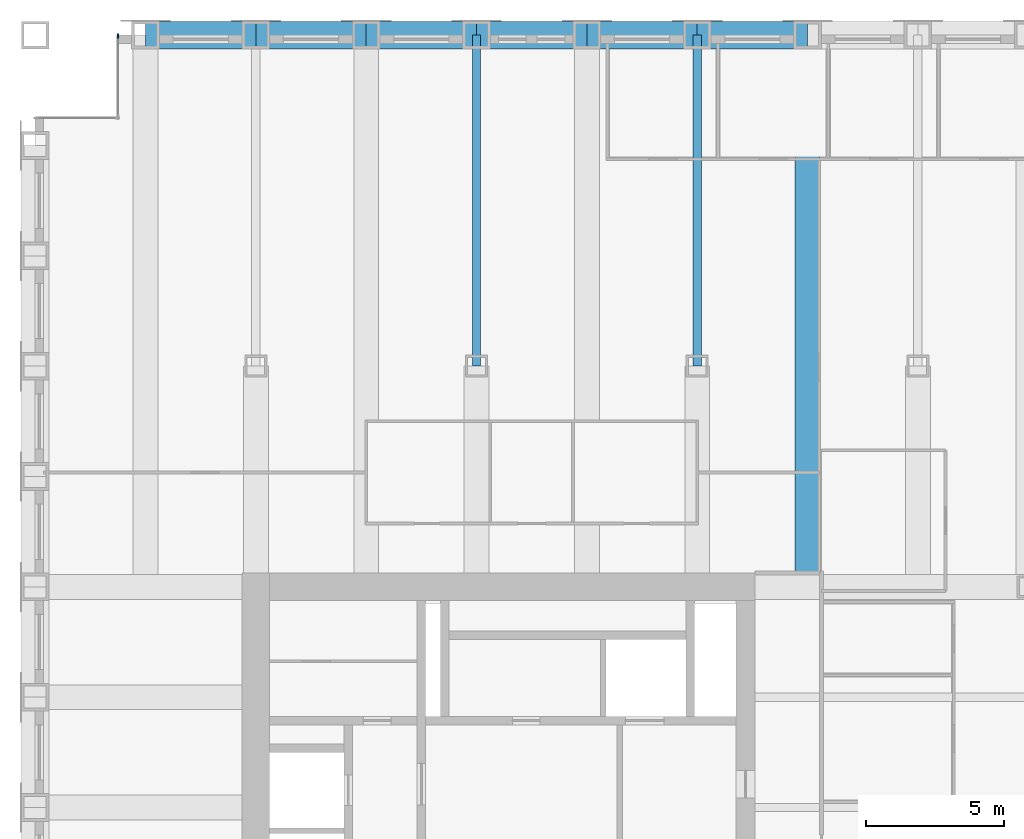
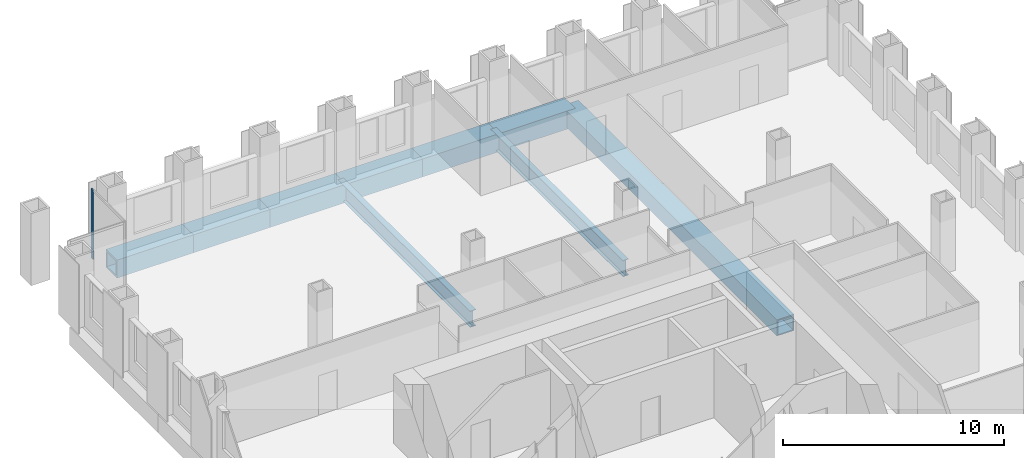
# One storey, part 6 of 13: 9 beams, 1 member, 1 element without a shape of its own.
"""IFC4 building model written with IfcOpenShell, lengths in metres."""

import ifcopenshell
import ifcopenshell.guid

model = None  # the IFC model being written
_history = None  # IfcOwnerHistory: only IFC2X3 demands one
_inside = {}  # id of a spatial element -> (the spatial element, [elements in it])
_under = {}  # id of a project, library or spatial element -> (it, [spatial elements below it])
_declared = {}  # id of a project -> (the project, [libraries it declares])
_typed = {}  # id of a type object -> (the type object, [elements of that type])
_made_of = {}  # id of a material, layer set ... -> (it, [elements and type objects made of it])


def new_model(schema):
    """Start an empty IFC model of exactly this schema.

    Asked for "IFC4X3", IfcOpenShell would pick the latest addendum, in which some entities
    have other attributes; the version numbers below select the first issue.
    IFC2X3 requires an IfcOwnerHistory on every rooted entity: one is made here for all.
    """
    global model, _history
    if schema == "IFC4X3":
        model = ifcopenshell.file(schema_version=(4, 3, 0, 0))
    else:
        model = ifcopenshell.file(schema=schema)
    _inside.clear()
    _under.clear()
    _declared.clear()
    _typed.clear()
    _made_of.clear()
    _history = None
    if model.schema == "IFC2X3":
        org = make("IfcOrganization", Name="unknown")
        user = make(
            "IfcPersonAndOrganization",
            ThePerson=make("IfcPerson", FamilyName="unknown"),
            TheOrganization=org,
        )
        app = make(
            "IfcApplication",
            ApplicationDeveloper=org,
            Version="unknown",
            ApplicationFullName="unknown",
            ApplicationIdentifier="unknown",
        )
        _history = make(
            "IfcOwnerHistory",
            OwningUser=user,
            OwningApplication=app,
            ChangeAction="ADDED",
            CreationDate=0,
        )
    return model


def make(cls, **values):
    """One entity of the class cls with the attributes given. An attribute that is None is left unset."""
    return model.create_entity(
        cls, **{name: value for name, value in values.items() if value is not None}
    )


def rooted(cls, **values):
    """An entity with a GlobalId (a new one), such as an element, a storey or a relation."""
    return make(cls, GlobalId=ifcopenshell.guid.new(), OwnerHistory=_history, **values)


def si_unit(unit_type, name, prefix=None):
    """IfcSIUnit, for example si_unit("LENGTHUNIT", "METRE", prefix="MILLI")."""
    return make("IfcSIUnit", UnitType=unit_type, Prefix=prefix, Name=name)


def assignment(units):
    """IfcUnitAssignment: the units of a project."""
    return None if units is None else make("IfcUnitAssignment", Units=units)


def point(xyz):
    """IfcCartesianPoint."""
    return None if xyz is None else make("IfcCartesianPoint", Coordinates=xyz)


def direction(xyz):
    """IfcDirection."""
    return None if xyz is None else make("IfcDirection", DirectionRatios=xyz)


def frame(location, z_axis=None, x_axis=None):
    """IfcAxis2Placement3D, a coordinate frame: its origin and axes. An axis left out is left unset."""
    return make(
        "IfcAxis2Placement3D",
        Location=point(location),
        Axis=direction(z_axis),
        RefDirection=direction(x_axis),
    )


def frame_2d(location, x_axis=None):
    """IfcAxis2Placement2D, a coordinate frame in the plane: its origin and x axis."""
    return make(
        "IfcAxis2Placement2D", Location=point(location), RefDirection=direction(x_axis)
    )


def origin():
    """The frame at (0, 0, 0) with its axes left unset."""
    return frame((0.0, 0.0, 0.0))


def origin_2d():
    """The frame at (0, 0) in the plane with its x axis left unset."""
    return frame_2d((0.0, 0.0))


def place(relative_to, where):
    """IfcLocalPlacement: puts the frame where relative to a parent placement (None: the world)."""
    return make(
        "IfcLocalPlacement", PlacementRelTo=relative_to, RelativePlacement=where
    )


def context(
    kind, dimensions, precision=None, world=None, true_north=None, identifier=None
):
    """IfcGeometricRepresentationContext, for example the 3D "Model" context."""
    return make(
        "IfcGeometricRepresentationContext",
        ContextIdentifier=identifier,
        ContextType=kind,
        CoordinateSpaceDimension=dimensions,
        Precision=precision,
        WorldCoordinateSystem=world,
        TrueNorth=true_north,
    )


def subcontext(parent, identifier, kind, view, scale=None):
    """IfcGeometricRepresentationSubContext, for example "Body" below "Model"."""
    return make(
        "IfcGeometricRepresentationSubContext",
        ContextIdentifier=identifier,
        ContextType=kind,
        ParentContext=parent,
        TargetScale=scale,
        TargetView=view,
    )


def project(units=None, contexts=None):
    """IfcProject with its units and contexts."""
    return rooted(
        "IfcProject",
        Name="project",
        RepresentationContexts=contexts,
        UnitsInContext=assignment(units),
    )


def spatial(cls, under=None, at=None, **own):
    """A site, building, storey or space (cls), placed at a placement, below another one or the project."""
    s = rooted(cls, ObjectPlacement=at, **own)
    if under is not None:
        _under.setdefault(under.id(), (under, []))[1].append(s)
    return s


def profile(cls, at=None, kind="AREA", **sizes):
    """A parametric profile (cls). Its sizes go by their IFC names, for example OverallWidth=200.0."""
    return make(cls, ProfileType=kind, Position=at, **sizes)


def rectangle(**sizes):
    """IfcRectangleProfileDef."""
    return profile("IfcRectangleProfileDef", **sizes)


def hollow_rectangle(**sizes):
    """IfcRectangleHollowProfileDef."""
    return profile("IfcRectangleHollowProfileDef", **sizes)


def i_section(**sizes):
    """IfcIShapeProfileDef."""
    return profile("IfcIShapeProfileDef", **sizes)


def extrude(swept, where, along, depth):
    """IfcExtrudedAreaSolid: the profile swept, set in the frame where, extruded along a direction by depth."""
    return make(
        "IfcExtrudedAreaSolid",
        SweptArea=swept,
        Position=where,
        ExtrudedDirection=direction(along),
        Depth=depth,
    )


def shape(context_of_items, identifier, shape_type, items):
    """IfcShapeRepresentation: the items that make up one representation, for example the "Body"."""
    return make(
        "IfcShapeRepresentation",
        ContextOfItems=context_of_items,
        RepresentationIdentifier=identifier,
        RepresentationType=shape_type,
        Items=items,
    )


def material(Name=None, Category=None):
    """IfcMaterial."""
    return make("IfcMaterial", Name=Name, Category=Category)


def material_profile(
    of_material, cross_section, Name=None, Category=None, Priority=None
):
    """IfcMaterialProfile: a cross section and its material."""
    return make(
        "IfcMaterialProfile",
        Name=Name,
        Material=of_material,
        Profile=cross_section,
        Priority=Priority,
        Category=Category,
    )


def profile_set(profiles, Name=None, composite=None):
    """IfcMaterialProfileSet."""
    return make(
        "IfcMaterialProfileSet",
        Name=Name,
        MaterialProfiles=profiles,
        CompositeProfile=composite,
    )


def made_of(thing, what):
    """Note that an element or type object is made of a material, layer set ...; save() writes the relation."""
    if what is not None:
        _made_of.setdefault(what.id(), (what, []))[1].append(thing)
    return thing


def type_object(cls, material=None, **own):
    """A type object (cls), such as IfcWallType, which elements share."""
    return made_of(rooted(cls, **own), material)


def element(
    cls,
    number,
    at=None,
    inside=None,
    cuts=None,
    type_object=None,
    material=None,
    context=None,
    identifier="Body",
    shape_type=None,
    held_by="IfcProductDefinitionShape",
    body=None,
    shapes=None,
    **own,
):
    """One element of the class cls, such as IfcWall. Its Tag is "e" and its number.

    at: its placement. inside: the storey or other place that contains it. cuts: it is an
    opening in that element (IfcRelVoidsElement). A single representation is given by context,
    identifier, shape_type and body (its items); several are given by shapes. held_by: the class
    of the entity that holds the representations. save() writes the other relations.
    """
    e = rooted(cls, Tag="e%d" % number, ObjectPlacement=at, **own)
    if body is not None:
        shapes = [shape(context, identifier, shape_type, body)]
    if shapes is not None:
        e.Representation = make(held_by, Representations=shapes)
    if inside is not None:
        _inside.setdefault(inside.id(), (inside, []))[1].append(e)
    if cuts is not None:
        rooted(
            "IfcRelVoidsElement", RelatingBuildingElement=cuts, RelatedOpeningElement=e
        )
    if type_object is not None:
        _typed.setdefault(type_object.id(), (type_object, []))[1].append(e)
    return made_of(e, material)


def aggregate(whole, parts):
    """IfcRelAggregates: a whole, such as a stair, and the parts it consists of."""
    return rooted("IfcRelAggregates", RelatingObject=whole, RelatedObjects=parts)


def save(model, path):
    """Write the relations noted so far, then the file.

    IfcRelAggregates (storeys below a building ...), IfcRelContainedInSpatialStructure (elements
    in a storey), IfcRelDefinesByType, IfcRelAssociatesMaterial and IfcRelDeclares: one each for
    every whole, place, type object, material and project.
    """
    for whole, parts in _under.values():
        aggregate(whole, parts)
    for where, things in _inside.values():
        rooted(
            "IfcRelContainedInSpatialStructure",
            RelatedElements=things,
            RelatingStructure=where,
        )
    for kind, things in _typed.values():
        rooted("IfcRelDefinesByType", RelatedObjects=things, RelatingType=kind)
    for what, things in _made_of.values():
        rooted("IfcRelAssociatesMaterial", RelatedObjects=things, RelatingMaterial=what)
    for by, libraries in _declared.values():
        rooted("IfcRelDeclares", RelatingContext=by, RelatedDefinitions=libraries)
    model.write(path)


model = new_model("IFC4")

# Units and contexts
model_context = context("Model", 3, precision=1e-05, world=origin(), true_north=direction((0.0, 1.0)))
body_context = subcontext(model_context, "Body", "Model", "MODEL_VIEW")
ifc_project = project(units=[si_unit("LENGTHUNIT", "METRE"), si_unit("AREAUNIT", "SQUARE_METRE"), si_unit("VOLUMEUNIT", "CUBIC_METRE"), si_unit("PLANEANGLEUNIT", "RADIAN"), si_unit("MASSUNIT", "GRAM", prefix="KILO")], contexts=[model_context])

# Site, building, storey
site_placement = place(None, origin())
site = spatial("IfcSite", under=ifc_project, at=site_placement, CompositionType="ELEMENT")
building_placement = place(site_placement, origin())
building = spatial("IfcBuilding", under=site, at=building_placement, Name="Rimbunsela Tower", CompositionType="ELEMENT")
storey_placement = place(building_placement, frame((0.0, 0.0, 222.199951171875)))
storey = spatial("IfcBuildingStorey", under=building, at=storey_placement, Name="L53", CompositionType="ELEMENT", Elevation=222.199951171875)

# Beams
ifc_material_1 = material(Name="Steel BJ 55 (fy 410 MPa)", Category="steel")
ifc_material_profile_1 = material_profile(ifc_material_1, hollow_rectangle(XDim=1.0, YDim=1.0, WallThickness=0.10009765625, at=origin_2d()), Name="BOX 1000x1000x100")
ifc_profile_set_1 = profile_set([ifc_material_profile_1], Name="Steel BJ 55 (fy 410 MPa)")
beam_type_1 = type_object("IfcBeamType", Name="Beam BOX 1000x1000x100", PredefinedType="BEAM", material=ifc_profile_set_1)
for number, where, z_axis, x_axis, name in (
    (1, (14.0, 56.0, -0.64990234375), (1.0, 0.0, 0.0), (0.0, 1.0, 0.0), "Beam B3 L53"),
    (2, (18.0, 56.0, -0.64990234375), (1.0, 0.0, 0.0), (0.0, 1.0, 0.0), "Beam B3 L53"),
    (3, (22.0, 56.0, -0.64990234375), (1.0, 0.0, 0.0), (0.0, 1.0, 0.0), "Beam B3 L53"),
    (4, (26.0, 56.0, -0.64990234375), (1.0, 0.0, 0.0), (0.0, 1.0, 0.0), "Beam B3 L53"),
    (5, (30.0, 56.0, -0.64990234375), (1.0, 0.0, 0.0), (0.0, 1.0, 0.0), "Beam B3 L53"),
    (6, (34.0, 56.0, -0.64990234375), (1.0, 0.0, 0.0), (0.0, 1.0, 0.0), "Beam B3 L53"),
):
    element("IfcBeam", number, at=place(storey_placement, frame(where, z_axis=z_axis, x_axis=x_axis)), inside=storey, type_object=beam_type_1, Name=name, PredefinedType="BEAM", context=body_context, shape_type="SweptSolid", body=[
        extrude(hollow_rectangle(XDim=1.0, YDim=1.0, WallThickness=0.10009765625, at=origin_2d()), origin(), (0.0, 0.0, 1.0), 4.0),
    ])
ifc_material_2 = material(Name="Steel BJ 55 (fy 410 MPa)", Category="steel")
ifc_material_profile_2 = material_profile(ifc_material_2, hollow_rectangle(XDim=0.89990234375, YDim=0.89990234375, WallThickness=0.06005859375, at=origin_2d()), Name="BOX 900x900x60")
ifc_profile_set_2 = profile_set([ifc_material_profile_2], Name="Steel BJ 55 (fy 410 MPa)")
beam_type_2 = type_object("IfcBeamType", Name="Beam BOX 900x900x60", PredefinedType="BEAM", material=ifc_profile_set_2)
beam_placement = place(storey_placement, frame((38.0, 36.449951171875, -0.599853515625), z_axis=(0.0, 1.0, 0.0), x_axis=(-1.0, 0.0, 0.0)))
element("IfcBeam", 7, at=beam_placement, inside=storey, type_object=beam_type_2, Name="Beam B1 L53", PredefinedType="BEAM", context=body_context, shape_type="SweptSolid", body=[
    extrude(hollow_rectangle(XDim=0.89990234375, YDim=0.89990234375, WallThickness=0.06005859375, at=origin_2d()), origin(), (0.0, 0.0, 1.0), 19.550048828125),
])
ifc_material_3 = material(Name="Steel BJ 55 (fy 410 MPa)", Category="steel")
ifc_material_profile_3 = material_profile(ifc_material_3, i_section(OverallWidth=0.300048828125, OverallDepth=0.89990234375, WebThickness=0.01611328125, FlangeThickness=0.028076171875, FilletRadius=0.028076171875, at=origin_2d()), Name="H 900x300x16x28")
ifc_profile_set_3 = profile_set([ifc_material_profile_3], Name="Steel BJ 55 (fy 410 MPa)")
beam_type_3 = type_object("IfcBeamType", Name="Beam H 900x300x16x28", PredefinedType="BEAM", material=ifc_profile_set_3)
for number, where, z_axis, x_axis, name in (
    (8, (26.0, 44.0, -0.599853515625), (0.0, 1.0, 0.0), (-1.0, 0.0, 0.0), "Beam B2 L53"),
    (9, (34.0, 44.0, -0.599853515625), (0.0, 1.0, 0.0), (-1.0, 0.0, 0.0), "Beam B2 L53"),
):
    element("IfcBeam", number, at=place(storey_placement, frame(where, z_axis=z_axis, x_axis=x_axis)), inside=storey, type_object=beam_type_3, Name=name, PredefinedType="BEAM", context=body_context, shape_type="SweptSolid", body=[
        extrude(i_section(OverallWidth=0.300048828125, OverallDepth=0.89990234375, WebThickness=0.01611328125, FlangeThickness=0.028076171875, FilletRadius=0.028076171875, at=origin_2d()), origin(), (0.0, 0.0, 1.0), 12.0),
    ])

# Curtain wall, member
ifc_material_4 = material(Name="Aluminium curtain wall", Category="aluminium")
curtain_wall_type = type_object("IfcCurtainWallType", Name="Corner glazing", PredefinedType="USERDEFINED", material=ifc_material_4)
curtain_wall_placement = place(storey_placement, origin())
curtain_wall = element("IfcCurtainWall", 10, at=curtain_wall_placement, inside=storey, type_object=curtain_wall_type, Name="Corner glazing L53", ObjectType="CORNER GLAZING", PredefinedType="USERDEFINED")
ifc_material_5 = material(Name="Aluminium mullion", Category="aluminium")
ifc_material_profile_4 = material_profile(ifc_material_5, rectangle(XDim=0.06005859375, YDim=0.159912109375, at=origin_2d()), Name="Mullion 60x160")
ifc_profile_set_4 = profile_set([ifc_material_profile_4], Name="Aluminium mullion")
member_type = type_object("IfcMemberType", Name="Curtain wall mullion 60x160", PredefinedType="MULLION", material=ifc_profile_set_4)
member_placement = place(storey_placement, frame((13.0, 55.969970703125, 0.0), z_axis=(0.0, 0.0, 1.0), x_axis=(1.0, 0.0, 0.0)))
member = element("IfcMember", 11, at=member_placement, type_object=member_type, Name="CW5 mullion 1", PredefinedType="MULLION", context=body_context, shape_type="SweptSolid", body=[
    extrude(rectangle(XDim=0.06005859375, YDim=0.159912109375, at=origin_2d()), origin(), (0.0, 0.0, 1.0), 3.85009765625),
])
aggregate(curtain_wall, [member])

save(model, "model.ifc")
